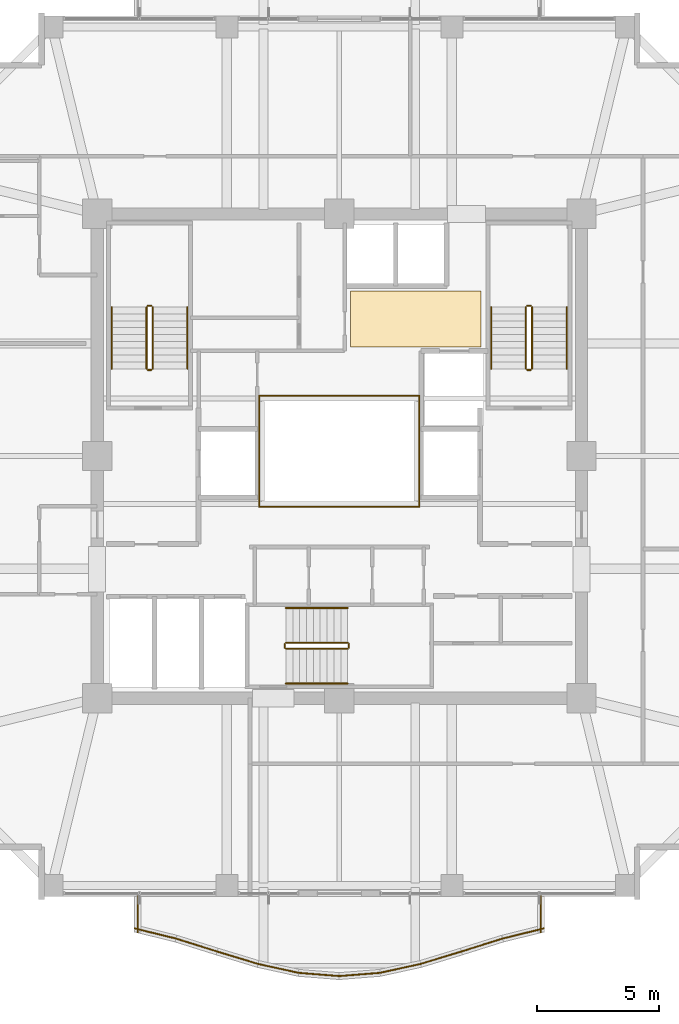
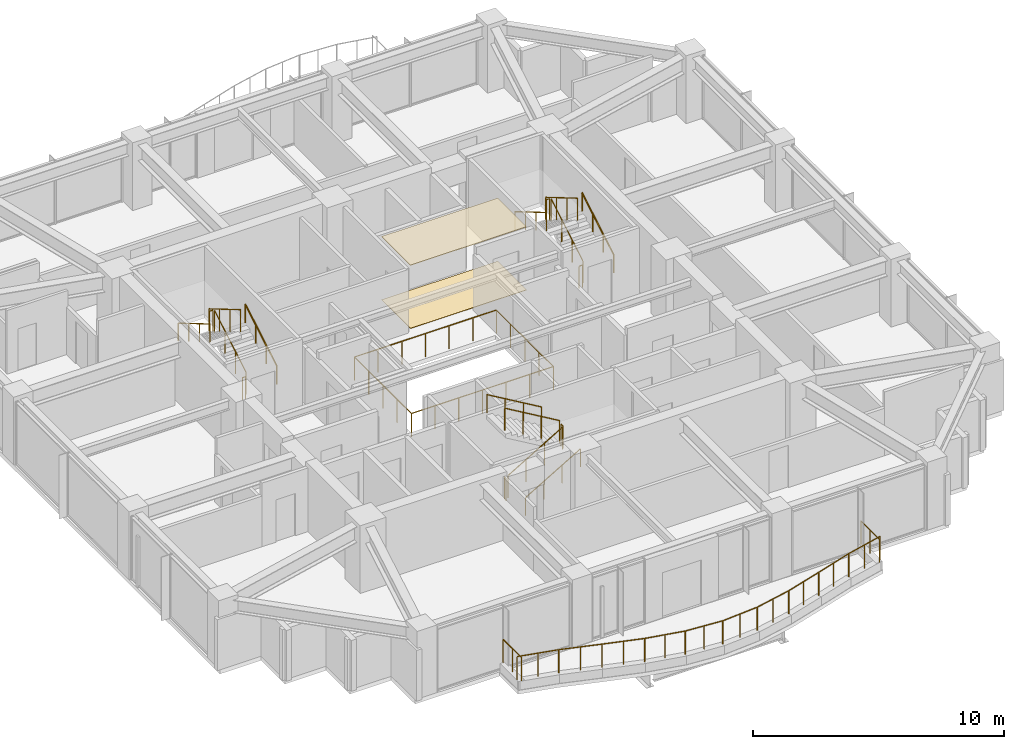
# One storey, part 30 of 31: 34 railings, 2 coverings.
"""IFC4 building model written with IfcOpenShell, lengths in metres."""

from ifc_helpers import new_model, si_unit, direction, frame, origin, origin_2d, place, context, subcontext, project, spatial, polyline, circle, outline, extrude, material, layer, layer_set, type_object, element, save


model = new_model("IFC4")

# Units and contexts
model_context = context("Model", 3, precision=1e-05, world=origin(), true_north=direction((0.0, 1.0)))
body_context = subcontext(model_context, "Body", "Model", "MODEL_VIEW")
ifc_project = project(units=[si_unit("LENGTHUNIT", "METRE"), si_unit("AREAUNIT", "SQUARE_METRE"), si_unit("VOLUMEUNIT", "CUBIC_METRE"), si_unit("PLANEANGLEUNIT", "RADIAN"), si_unit("MASSUNIT", "GRAM", prefix="KILO")], contexts=[model_context])

# Site, building, storey
site_placement = place(None, origin())
site = spatial("IfcSite", under=ifc_project, at=site_placement, CompositionType="ELEMENT")
building_placement = place(site_placement, origin())
building = spatial("IfcBuilding", under=site, at=building_placement, Name="Kolvaren Belvedere", CompositionType="ELEMENT")
storey_placement = place(building_placement, frame((0.0, 0.0, 134.89990234375)))
storey = spatial("IfcBuildingStorey", under=building, at=storey_placement, Name="L39", CompositionType="ELEMENT", Elevation=134.89990234375)

# Coverings
ifc_material_1 = material(Name="Acoustic perforated gypsum board", Category="gypsum")
ifc_layer_1 = layer(ifc_material_1, 0.02490234375)
ifc_layer_set_1 = layer_set([ifc_layer_1], Name="Acoustic perforated gypsum board")
covering_type_1 = type_object("IfcCoveringType", Name="COV-CEIL-GYP", PredefinedType="CEILING", material=ifc_layer_set_1)
covering_1_placement = place(storey_placement, frame((0.0, 0.0, 3.0751953125)))
element("IfcCovering", 1, at=covering_1_placement, inside=storey, type_object=covering_type_1, Name="L39 Lift Lobby Acoustic Baffle Ceiling", PredefinedType="CEILING", context=body_context, shape_type="SweptSolid", body=[
    extrude(outline(polyline([(0.449951171875, 4.449951171875), (5.800048828125, 4.449951171875), (5.800048828125, 6.75), (0.449951171875, 6.75), (0.449951171875, 4.449951171875)])), origin(), (0.0, 0.0, 1.0), 0.02490234375),
])
ifc_material_2 = material(Name="Engineered Pacific white oak", Category="timber")
ifc_layer_2 = layer(ifc_material_2, 0.02001953125)
ifc_layer_set_2 = layer_set([ifc_layer_2], Name="Engineered Pacific white oak")
covering_type_2 = type_object("IfcCoveringType", Name="COV-FLR-OAK", PredefinedType="FLOORING", material=ifc_layer_set_2)
covering_2_placement = place(storey_placement, origin())
element("IfcCovering", 2, at=covering_2_placement, inside=storey, type_object=covering_type_2, Name="L39 Lift Lobby Finish Flooring", PredefinedType="FLOORING", context=body_context, shape_type="SweptSolid", body=[
    extrude(outline(polyline([(0.449951171875, 4.449951171875), (5.800048828125, 4.449951171875), (5.800048828125, 6.75), (0.449951171875, 6.75), (0.449951171875, 4.449951171875)])), origin(), (0.0, 0.0, 1.0), 0.02001953125),
])

# Railings
ifc_material_3 = material(Name="Laminated glass & stainless-steel cap rail", Category="steel")
railing_type_1 = type_object("IfcRailingType", Name="RL-ATR-1150", PredefinedType="BALUSTRADE", material=ifc_material_3)
for number, where, name in (
    (3, (-3.27001953125, 2.469970703125, 0.0), "L39 Atrium North Glass Balustrade"),
    (4, (-3.27001953125, -2.070068359375, 0.0), "L39 Atrium South Glass Balustrade"),
):
    element("IfcRailing", number, at=place(storey_placement, frame(where)), inside=storey, type_object=railing_type_1, Name=name, PredefinedType="BALUSTRADE", context=body_context, shape_type="SweptSolid", body=[
        extrude(circle(Radius=0.02392578125, at=origin_2d()), frame((0.0, 0.0, 1.1259765625), z_axis=(1.0, 0.0, 0.0), x_axis=(0.0, 1.0, 0.0)), (0.0, 0.0, 1.0), 6.5400390625),
        extrude(circle(Radius=0.02099609375, at=origin_2d()), origin(), (0.0, 0.0, 1.0), 1.101806640625),
        extrude(circle(Radius=0.02099609375, at=origin_2d()), frame((1.090087890625, 0.0, 0.0)), (0.0, 0.0, 1.0), 1.101806640625),
        extrude(circle(Radius=0.02099609375, at=origin_2d()), frame((2.179931640625, 0.0, 0.0)), (0.0, 0.0, 1.0), 1.101806640625),
        extrude(circle(Radius=0.02099609375, at=origin_2d()), frame((3.27001953125, 0.0, 0.0)), (0.0, 0.0, 1.0), 1.101806640625),
        extrude(circle(Radius=0.02099609375, at=origin_2d()), frame((4.360107421875, 0.0, 0.0)), (0.0, 0.0, 1.0), 1.101806640625),
        extrude(circle(Radius=0.02099609375, at=origin_2d()), frame((5.449951171875, 0.0, 0.0)), (0.0, 0.0, 1.0), 1.101806640625),
        extrude(circle(Radius=0.02099609375, at=origin_2d()), frame((6.5400390625, 0.0, 0.0)), (0.0, 0.0, 1.0), 1.101806640625),
    ])
for number, where, name in (
    (5, (-3.27001953125, -2.070068359375, 0.0), "L39 Atrium West Glass Balustrade"),
    (6, (3.27001953125, -2.070068359375, 0.0), "L39 Atrium East Glass Balustrade"),
):
    element("IfcRailing", number, at=place(storey_placement, frame(where)), inside=storey, type_object=railing_type_1, Name=name, PredefinedType="BALUSTRADE", context=body_context, shape_type="SweptSolid", body=[
        extrude(circle(Radius=0.02392578125, at=origin_2d()), frame((0.0, 0.0, 1.1259765625), z_axis=(0.0, 1.0, 0.0), x_axis=(-1.0, 0.0, 0.0)), (0.0, 0.0, 1.0), 4.5400390625),
        extrude(circle(Radius=0.02099609375, at=origin_2d()), origin(), (0.0, 0.0, 1.0), 1.101806640625),
        extrude(circle(Radius=0.02099609375, at=origin_2d()), frame((0.0, 1.135009765625, 0.0)), (0.0, 0.0, 1.0), 1.101806640625),
        extrude(circle(Radius=0.02099609375, at=origin_2d()), frame((0.0, 2.27001953125, 0.0)), (0.0, 0.0, 1.0), 1.101806640625),
        extrude(circle(Radius=0.02099609375, at=origin_2d()), frame((0.0, 3.405029296875, 0.0)), (0.0, 0.0, 1.0), 1.101806640625),
        extrude(circle(Radius=0.02099609375, at=origin_2d()), frame((0.0, 4.5400390625, 0.0)), (0.0, 0.0, 1.0), 1.101806640625),
    ])
ifc_material_4 = material(Name="Anodised pale-metal aluminium & laminated glass guard", Category="aluminium")
railing_type_2 = type_object("IfcRailingType", Name="RL-GUARD-1150", PredefinedType="GUARDRAIL", material=ifc_material_4)
railing_1_placement = place(storey_placement, frame((-8.36181640625, -19.310791015625, 0.400146484375)))
element("IfcRailing", 7, at=railing_1_placement, inside=storey, type_object=railing_type_2, Name="L39 Exterior Deck Safety Guard BAL-S-1", PredefinedType="GUARDRAIL", context=body_context, shape_type="SweptSolid", body=[
    extrude(circle(Radius=0.02392578125, at=origin_2d()), frame((0.0, 0.0, 1.1259765625), z_axis=(0.970950361768, -0.239280995867, 0.0), x_axis=(0.239280995867, 0.970950361768, 0.0)), (0.0, 0.0, 1.0), 1.73046875),
    extrude(circle(Radius=0.02099609375, at=origin_2d()), origin(), (0.0, 0.0, 1.0), 1.101806640625),
    extrude(circle(Radius=0.02099609375, at=origin_2d()), frame((0.840087890625, -0.20703125, 0.0)), (0.0, 0.0, 1.0), 1.101806640625),
    extrude(circle(Radius=0.02099609375, at=origin_2d()), frame((1.68017578125, -0.4140625, 0.0)), (0.0, 0.0, 1.0), 1.101806640625),
])
railing_2_placement = place(storey_placement, frame((-6.672119140625, -19.7275390625, 0.400146484375)))
element("IfcRailing", 8, at=railing_2_placement, inside=storey, type_object=railing_type_2, Name="L39 Exterior Deck Safety Guard BAL-S-2", PredefinedType="GUARDRAIL", context=body_context, shape_type="SweptSolid", body=[
    extrude(circle(Radius=0.02392578125, at=origin_2d()), frame((0.0, 0.0, 1.1259765625), z_axis=(0.954057149461, -0.299624691176, 0.0), x_axis=(0.299624691176, 0.954057149461, 0.0)), (0.0, 0.0, 1.0), 1.7607421875),
    extrude(circle(Radius=0.02099609375, at=origin_2d()), origin(), (0.0, 0.0, 1.0), 1.101806640625),
    extrude(circle(Radius=0.02099609375, at=origin_2d()), frame((0.83984375, -0.263671875, 0.0)), (0.0, 0.0, 1.0), 1.101806640625),
    extrude(circle(Radius=0.02099609375, at=origin_2d()), frame((1.679931640625, -0.527587890625, 0.0)), (0.0, 0.0, 1.0), 1.101806640625),
])
railing_3_placement = place(storey_placement, frame((-4.993408203125, -20.254638671875, 0.400146484375)))
element("IfcRailing", 9, at=railing_3_placement, inside=storey, type_object=railing_type_2, Name="L39 Exterior Deck Safety Guard BAL-S-3", PredefinedType="GUARDRAIL", context=body_context, shape_type="SweptSolid", body=[
    extrude(circle(Radius=0.02392578125, at=origin_2d()), frame((0.0, 0.0, 1.1259765625), z_axis=(0.956721015747, -0.291006697567, 0.0), x_axis=(0.291006697567, 0.956721015747, 0.0)), (0.0, 0.0, 1.0), 1.755859375),
    extrude(circle(Radius=0.02099609375, at=origin_2d()), origin(), (0.0, 0.0, 1.0), 1.101806640625),
    extrude(circle(Radius=0.02099609375, at=origin_2d()), frame((0.83984375, -0.25537109375, 0.0)), (0.0, 0.0, 1.0), 1.101806640625),
    extrude(circle(Radius=0.02099609375, at=origin_2d()), frame((1.679931640625, -0.510986328125, 0.0)), (0.0, 0.0, 1.0), 1.101806640625),
])
railing_4_placement = place(storey_placement, frame((-3.32568359375, -20.762451171875, 0.400146484375)))
element("IfcRailing", 10, at=railing_4_placement, inside=storey, type_object=railing_type_2, Name="L39 Exterior Deck Safety Guard BAL-S-4", PredefinedType="GUARDRAIL", context=body_context, shape_type="SweptSolid", body=[
    extrude(circle(Radius=0.02392578125, at=origin_2d()), frame((0.0, 0.0, 1.1259765625), z_axis=(0.976876857632, -0.213802724545, 0.0), x_axis=(0.213802724545, 0.976876857632, 0.0)), (0.0, 0.0, 1.0), 1.7197265625),
    extrude(circle(Radius=0.02099609375, at=origin_2d()), origin(), (0.0, 0.0, 1.0), 1.101806640625),
    extrude(circle(Radius=0.02099609375, at=origin_2d()), frame((0.83984375, -0.183837890625, 0.0)), (0.0, 0.0, 1.0), 1.101806640625),
    extrude(circle(Radius=0.02099609375, at=origin_2d()), frame((1.679931640625, -0.36767578125, 0.0)), (0.0, 0.0, 1.0), 1.101806640625),
])
railing_5_placement = place(storey_placement, frame((-1.667236328125, -21.126953125, 0.400146484375)))
element("IfcRailing", 11, at=railing_5_placement, inside=storey, type_object=railing_type_2, Name="L39 Exterior Deck Safety Guard BAL-S-5", PredefinedType="GUARDRAIL", context=body_context, shape_type="SweptSolid", body=[
    extrude(circle(Radius=0.02392578125, at=origin_2d()), frame((0.0, 0.0, 1.1259765625), z_axis=(0.99685522818, -0.079244268248, 0.0), x_axis=(0.079244268248, 0.99685522818, 0.0)), (0.0, 0.0, 1.0), 1.685302734375),
    extrude(circle(Radius=0.02099609375, at=origin_2d()), origin(), (0.0, 0.0, 1.0), 1.101806640625),
    extrude(circle(Radius=0.02099609375, at=origin_2d()), frame((0.83984375, -0.06689453125, 0.0)), (0.0, 0.0, 1.0), 1.101806640625),
    extrude(circle(Radius=0.02099609375, at=origin_2d()), frame((1.679931640625, -0.133544921875, 0.0)), (0.0, 0.0, 1.0), 1.101806640625),
])
railing_6_placement = place(storey_placement, frame((-0.0126953125, -21.260498046875, 0.400146484375)))
element("IfcRailing", 12, at=railing_6_placement, inside=storey, type_object=railing_type_2, Name="L39 Exterior Deck Safety Guard BAL-S-6", PredefinedType="GUARDRAIL", context=body_context, shape_type="SweptSolid", body=[
    extrude(circle(Radius=0.02392578125, at=origin_2d()), frame((0.0, 0.0, 1.1259765625), z_axis=(0.99685522818, 0.079244268248, 0.0), x_axis=(-0.079244268248, 0.99685522818, 0.0)), (0.0, 0.0, 1.0), 1.685302734375),
    extrude(circle(Radius=0.02099609375, at=origin_2d()), origin(), (0.0, 0.0, 1.0), 1.101806640625),
    extrude(circle(Radius=0.02099609375, at=origin_2d()), frame((0.83984375, 0.06689453125, 0.0)), (0.0, 0.0, 1.0), 1.101806640625),
    extrude(circle(Radius=0.02099609375, at=origin_2d()), frame((1.679931640625, 0.133544921875, 0.0)), (0.0, 0.0, 1.0), 1.101806640625),
])
railing_7_placement = place(storey_placement, frame((1.645751953125, -21.130126953125, 0.400146484375)))
element("IfcRailing", 13, at=railing_7_placement, inside=storey, type_object=railing_type_2, Name="L39 Exterior Deck Safety Guard BAL-S-7", PredefinedType="GUARDRAIL", context=body_context, shape_type="SweptSolid", body=[
    extrude(circle(Radius=0.02392578125, at=origin_2d()), frame((0.0, 0.0, 1.1259765625), z_axis=(0.976876857632, 0.213802724545, 0.0), x_axis=(-0.213802724545, 0.976876857632, 0.0)), (0.0, 0.0, 1.0), 1.7197265625),
    extrude(circle(Radius=0.02099609375, at=origin_2d()), origin(), (0.0, 0.0, 1.0), 1.101806640625),
    extrude(circle(Radius=0.02099609375, at=origin_2d()), frame((0.83984375, 0.183837890625, 0.0)), (0.0, 0.0, 1.0), 1.101806640625),
    extrude(circle(Radius=0.02099609375, at=origin_2d()), frame((1.679931640625, 0.36767578125, 0.0)), (0.0, 0.0, 1.0), 1.101806640625),
])
railing_8_placement = place(storey_placement, frame((3.3134765625, -20.765625, 0.400146484375)))
element("IfcRailing", 14, at=railing_8_placement, inside=storey, type_object=railing_type_2, Name="L39 Exterior Deck Safety Guard BAL-S-8", PredefinedType="GUARDRAIL", context=body_context, shape_type="SweptSolid", body=[
    extrude(circle(Radius=0.02392578125, at=origin_2d()), frame((0.0, 0.0, 1.1259765625), z_axis=(0.956721015747, 0.291006697567, 0.0), x_axis=(-0.291006697567, 0.956721015747, 0.0)), (0.0, 0.0, 1.0), 1.755859375),
    extrude(circle(Radius=0.02099609375, at=origin_2d()), origin(), (0.0, 0.0, 1.0), 1.101806640625),
    extrude(circle(Radius=0.02099609375, at=origin_2d()), frame((0.83984375, 0.25537109375, 0.0)), (0.0, 0.0, 1.0), 1.101806640625),
    extrude(circle(Radius=0.02099609375, at=origin_2d()), frame((1.679931640625, 0.510986328125, 0.0)), (0.0, 0.0, 1.0), 1.101806640625),
])
railing_9_placement = place(storey_placement, frame((4.9921875, -20.255126953125, 0.400146484375)))
element("IfcRailing", 15, at=railing_9_placement, inside=storey, type_object=railing_type_2, Name="L39 Exterior Deck Safety Guard BAL-S-9", PredefinedType="GUARDRAIL", context=body_context, shape_type="SweptSolid", body=[
    extrude(circle(Radius=0.02392578125, at=origin_2d()), frame((0.0, 0.0, 1.1259765625), z_axis=(0.954057149461, 0.299624691176, 0.0), x_axis=(-0.299624691176, 0.954057149461, 0.0)), (0.0, 0.0, 1.0), 1.7607421875),
    extrude(circle(Radius=0.02099609375, at=origin_2d()), origin(), (0.0, 0.0, 1.0), 1.101806640625),
    extrude(circle(Radius=0.02099609375, at=origin_2d()), frame((0.83984375, 0.263671875, 0.0)), (0.0, 0.0, 1.0), 1.101806640625),
    extrude(circle(Radius=0.02099609375, at=origin_2d()), frame((1.679931640625, 0.527587890625, 0.0)), (0.0, 0.0, 1.0), 1.101806640625),
])
railing_10_placement = place(storey_placement, frame((6.681640625, -19.724853515625, 0.400146484375)))
element("IfcRailing", 16, at=railing_10_placement, inside=storey, type_object=railing_type_2, Name="L39 Exterior Deck Safety Guard BAL-S-10", PredefinedType="GUARDRAIL", context=body_context, shape_type="SweptSolid", body=[
    extrude(circle(Radius=0.02392578125, at=origin_2d()), frame((0.0, 0.0, 1.1259765625), z_axis=(0.970950361768, 0.239280995867, 0.0), x_axis=(-0.239280995867, 0.970950361768, 0.0)), (0.0, 0.0, 1.0), 1.73046875),
    extrude(circle(Radius=0.02099609375, at=origin_2d()), origin(), (0.0, 0.0, 1.0), 1.101806640625),
    extrude(circle(Radius=0.02099609375, at=origin_2d()), frame((0.840087890625, 0.20703125, 0.0)), (0.0, 0.0, 1.0), 1.101806640625),
    extrude(circle(Radius=0.02099609375, at=origin_2d()), frame((1.68017578125, 0.4140625, 0.0)), (0.0, 0.0, 1.0), 1.101806640625),
])
railing_11_placement = place(storey_placement, frame((8.239990234375, -19.46630859375, 0.400146484375)))
element("IfcRailing", 17, at=railing_11_placement, inside=storey, type_object=railing_type_2, Name="L39 Exterior Deck Safety Guard BAL-S-11", PredefinedType="GUARDRAIL", context=body_context, shape_type="SweptSolid", body=[
    extrude(circle(Radius=0.02392578125, at=origin_2d()), frame((0.0, 0.0, 1.1259765625), z_axis=(0.0, 1.0, 0.0), x_axis=(-1.0, 0.0, 0.0)), (0.0, 0.0, 1.0), 1.46630859375),
    extrude(circle(Radius=0.02099609375, at=origin_2d()), origin(), (0.0, 0.0, 1.0), 1.101806640625),
    extrude(circle(Radius=0.02099609375, at=origin_2d()), frame((0.0, 0.733154296875, 0.0)), (0.0, 0.0, 1.0), 1.101806640625),
    extrude(circle(Radius=0.02099609375, at=origin_2d()), frame((0.0, 1.46630859375, 0.0)), (0.0, 0.0, 1.0), 1.101806640625),
])
railing_12_placement = place(storey_placement, frame((-8.239990234375, -18.0, 0.400146484375)))
element("IfcRailing", 18, at=railing_12_placement, inside=storey, type_object=railing_type_2, Name="L39 Exterior Deck Safety Guard BAL-S-22", PredefinedType="GUARDRAIL", context=body_context, shape_type="SweptSolid", body=[
    extrude(circle(Radius=0.02392578125, at=origin_2d()), frame((0.0, 0.0, 1.1259765625), z_axis=(0.0, -1.0, 0.0), x_axis=(1.0, 0.0, 0.0)), (0.0, 0.0, 1.0), 1.46630859375),
    extrude(circle(Radius=0.02099609375, at=origin_2d()), origin(), (0.0, 0.0, 1.0), 1.101806640625),
    extrude(circle(Radius=0.02099609375, at=origin_2d()), frame((0.0, -0.733154296875, 0.0)), (0.0, 0.0, 1.0), 1.101806640625),
    extrude(circle(Radius=0.02099609375, at=origin_2d()), frame((0.0, -1.46630859375, 0.0)), (0.0, 0.0, 1.0), 1.101806640625),
])
ifc_material_5 = material(Name="Brushed stainless-steel handrail", Category="steel")
railing_type_3 = type_object("IfcRailingType", Name="RL-HANDRAIL-920", PredefinedType="HANDRAIL", material=ifc_material_5)
railing_13_placement = place(storey_placement, frame((-6.2099609375, 3.570068359375, 0.1650390625)))
element("IfcRailing", 19, at=railing_13_placement, inside=storey, type_object=railing_type_3, Name="L39 ST-1 stair handrail 1", PredefinedType="HANDRAIL", context=body_context, shape_type="SweptSolid", body=[
    extrude(circle(Radius=0.02392578125, at=origin_2d()), frame((0.0, 0.0, 0.8759765625), z_axis=(0.0, 0.86152411907, 0.507716645641), x_axis=(-1.0, 0.0, 0.0)), (0.0, 0.0, 1.0), 2.925048828125),
    extrude(circle(Radius=0.02099609375, at=origin_2d()), origin(), (0.0, 0.0, 1.0), 0.851806640625),
    extrude(circle(Radius=0.02099609375, at=origin_2d()), frame((0.0, 0.840087890625, 0.4951171875)), (0.0, 0.0, 1.0), 0.851806640625),
    extrude(circle(Radius=0.02099609375, at=origin_2d()), frame((0.0, 1.679931640625, 0.989990234375)), (0.0, 0.0, 1.0), 0.851806640625),
    extrude(circle(Radius=0.02099609375, at=origin_2d()), frame((0.0, 2.52001953125, 1.485107421875)), (0.0, 0.0, 1.0), 0.851806640625),
])
railing_14_placement = place(storey_placement, frame((-9.300048828125, 6.090087890625, 1.815185546875)))
element("IfcRailing", 20, at=railing_14_placement, inside=storey, type_object=railing_type_3, Name="L39 ST-1 stair handrail 2", PredefinedType="HANDRAIL", context=body_context, shape_type="SweptSolid", body=[
    extrude(circle(Radius=0.02392578125, at=origin_2d()), frame((0.0, 0.0, 0.8759765625), z_axis=(0.0, -0.861560626758, 0.507654692109), x_axis=(1.0, 0.0, 0.0)), (0.0, 0.0, 1.0), 2.925048828125),
    extrude(circle(Radius=0.02099609375, at=origin_2d()), origin(), (0.0, 0.0, 1.0), 0.851806640625),
    extrude(circle(Radius=0.02099609375, at=origin_2d()), frame((0.0, -0.840087890625, 0.494873046875)), (0.0, 0.0, 1.0), 0.851806640625),
    extrude(circle(Radius=0.02099609375, at=origin_2d()), frame((0.0, -1.679931640625, 0.989990234375)), (0.0, 0.0, 1.0), 0.851806640625),
    extrude(circle(Radius=0.02099609375, at=origin_2d()), frame((0.0, -2.52001953125, 1.48486328125)), (0.0, 0.0, 1.0), 0.851806640625),
])
railing_15_placement = place(storey_placement, frame((9.300048828125, 3.570068359375, 0.1650390625)))
element("IfcRailing", 21, at=railing_15_placement, inside=storey, type_object=railing_type_3, Name="L39 ST-2 stair handrail 1", PredefinedType="HANDRAIL", context=body_context, shape_type="SweptSolid", body=[
    extrude(circle(Radius=0.02392578125, at=origin_2d()), frame((0.0, 0.0, 0.8759765625), z_axis=(0.0, 0.86152411907, 0.507716645641), x_axis=(-1.0, 0.0, 0.0)), (0.0, 0.0, 1.0), 2.925048828125),
    extrude(circle(Radius=0.02099609375, at=origin_2d()), origin(), (0.0, 0.0, 1.0), 0.851806640625),
    extrude(circle(Radius=0.02099609375, at=origin_2d()), frame((0.0, 0.840087890625, 0.4951171875)), (0.0, 0.0, 1.0), 0.851806640625),
    extrude(circle(Radius=0.02099609375, at=origin_2d()), frame((0.0, 1.679931640625, 0.989990234375)), (0.0, 0.0, 1.0), 0.851806640625),
    extrude(circle(Radius=0.02099609375, at=origin_2d()), frame((0.0, 2.52001953125, 1.485107421875)), (0.0, 0.0, 1.0), 0.851806640625),
])
railing_16_placement = place(storey_placement, frame((6.2099609375, 6.090087890625, 1.815185546875)))
element("IfcRailing", 22, at=railing_16_placement, inside=storey, type_object=railing_type_3, Name="L39 ST-2 stair handrail 2", PredefinedType="HANDRAIL", context=body_context, shape_type="SweptSolid", body=[
    extrude(circle(Radius=0.02392578125, at=origin_2d()), frame((0.0, 0.0, 0.8759765625), z_axis=(0.0, -0.861560626758, 0.507654692109), x_axis=(1.0, 0.0, 0.0)), (0.0, 0.0, 1.0), 2.925048828125),
    extrude(circle(Radius=0.02099609375, at=origin_2d()), origin(), (0.0, 0.0, 1.0), 0.851806640625),
    extrude(circle(Radius=0.02099609375, at=origin_2d()), frame((0.0, -0.840087890625, 0.494873046875)), (0.0, 0.0, 1.0), 0.851806640625),
    extrude(circle(Radius=0.02099609375, at=origin_2d()), frame((0.0, -1.679931640625, 0.989990234375)), (0.0, 0.0, 1.0), 0.851806640625),
    extrude(circle(Radius=0.02099609375, at=origin_2d()), frame((0.0, -2.52001953125, 1.48486328125)), (0.0, 0.0, 1.0), 0.851806640625),
])
railing_17_placement = place(storey_placement, frame((-2.179931640625, -9.300048828125, 0.1650390625)))
element("IfcRailing", 23, at=railing_17_placement, inside=storey, type_object=railing_type_3, Name="L39 ST-3 stair handrail 1", PredefinedType="HANDRAIL", context=body_context, shape_type="SweptSolid", body=[
    extrude(circle(Radius=0.02392578125, at=origin_2d()), frame((0.0, 0.0, 0.8759765625), z_axis=(0.86152411907, 0.0, 0.507716645641), x_axis=(0.0, 1.0, 0.0)), (0.0, 0.0, 1.0), 2.925048828125),
    extrude(circle(Radius=0.02099609375, at=origin_2d()), origin(), (0.0, 0.0, 1.0), 0.851806640625),
    extrude(circle(Radius=0.02099609375, at=origin_2d()), frame((0.840087890625, 0.0, 0.4951171875)), (0.0, 0.0, 1.0), 0.851806640625),
    extrude(circle(Radius=0.02099609375, at=origin_2d()), frame((1.679931640625, 0.0, 0.989990234375)), (0.0, 0.0, 1.0), 0.851806640625),
    extrude(circle(Radius=0.02099609375, at=origin_2d()), frame((2.52001953125, 0.0, 1.485107421875)), (0.0, 0.0, 1.0), 0.851806640625),
])
railing_18_placement = place(storey_placement, frame((0.340087890625, -6.2099609375, 1.815185546875)))
element("IfcRailing", 24, at=railing_18_placement, inside=storey, type_object=railing_type_3, Name="L39 ST-3 stair handrail 2", PredefinedType="HANDRAIL", context=body_context, shape_type="SweptSolid", body=[
    extrude(circle(Radius=0.02392578125, at=origin_2d()), frame((0.0, 0.0, 0.8759765625), z_axis=(-0.861560626758, 0.0, 0.507654692109), x_axis=(0.0, -1.0, 0.0)), (0.0, 0.0, 1.0), 2.925048828125),
    extrude(circle(Radius=0.02099609375, at=origin_2d()), origin(), (0.0, 0.0, 1.0), 0.851806640625),
    extrude(circle(Radius=0.02099609375, at=origin_2d()), frame((-0.840087890625, 0.0, 0.494873046875)), (0.0, 0.0, 1.0), 0.851806640625),
    extrude(circle(Radius=0.02099609375, at=origin_2d()), frame((-1.679931640625, 0.0, 0.989990234375)), (0.0, 0.0, 1.0), 0.851806640625),
    extrude(circle(Radius=0.02099609375, at=origin_2d()), frame((-2.52001953125, 0.0, 1.48486328125)), (0.0, 0.0, 1.0), 0.851806640625),
])
ifc_material_6 = material(Name="Painted tubular steel stair guard", Category="steel")
railing_type_4 = type_object("IfcRailingType", Name="RL-STGUARD-1100", PredefinedType="GUARDRAIL", material=ifc_material_6)
railing_19_placement = place(storey_placement, frame((-7.6298828125, 3.570068359375, 0.1650390625)))
element("IfcRailing", 25, at=railing_19_placement, inside=storey, type_object=railing_type_4, Name="L39 ST-1 stair guard 1", PredefinedType="GUARDRAIL", context=body_context, shape_type="SweptSolid", body=[
    extrude(circle(Radius=0.02392578125, at=origin_2d()), frame((0.0, 0.0, 1.076171875), z_axis=(0.0, 0.86152411907, 0.507716645641), x_axis=(-1.0, 0.0, 0.0)), (0.0, 0.0, 1.0), 2.925048828125),
    extrude(circle(Radius=0.02099609375, at=origin_2d()), origin(), (0.0, 0.0, 1.0), 1.052001953125),
    extrude(circle(Radius=0.02099609375, at=origin_2d()), frame((0.0, 0.840087890625, 0.4951171875)), (0.0, 0.0, 1.0), 1.052001953125),
    extrude(circle(Radius=0.02099609375, at=origin_2d()), frame((0.0, 1.679931640625, 0.989990234375)), (0.0, 0.0, 1.0), 1.052001953125),
    extrude(circle(Radius=0.02099609375, at=origin_2d()), frame((0.0, 2.52001953125, 1.485107421875)), (0.0, 0.0, 1.0), 1.052001953125),
])
railing_20_placement = place(storey_placement, frame((-7.679931640625, 6.139892578125, 1.650146484375)))
element("IfcRailing", 26, at=railing_20_placement, inside=storey, type_object=railing_type_4, Name="L39 ST-1 stair guard 2", PredefinedType="GUARDRAIL", context=body_context, shape_type="SweptSolid", body=[
    extrude(circle(Radius=0.02392578125, at=origin_2d()), frame((0.0, 0.0, 1.076171875), z_axis=(-1.0, 0.0, 0.0), x_axis=(0.0, -1.0, 0.0)), (0.0, 0.0, 1.0), 0.150146484375),
    extrude(circle(Radius=0.02099609375, at=origin_2d()), origin(), (0.0, 0.0, 1.0), 1.052001953125),
    extrude(circle(Radius=0.02099609375, at=origin_2d()), frame((-0.150146484375, 0.0, 0.0)), (0.0, 0.0, 1.0), 1.052001953125),
])
railing_21_placement = place(storey_placement, frame((-7.8798828125, 6.090087890625, 1.815185546875)))
element("IfcRailing", 27, at=railing_21_placement, inside=storey, type_object=railing_type_4, Name="L39 ST-1 stair guard 3", PredefinedType="GUARDRAIL", context=body_context, shape_type="SweptSolid", body=[
    extrude(circle(Radius=0.02392578125, at=origin_2d()), frame((0.0, 0.0, 1.076171875), z_axis=(0.0, -0.861560626758, 0.507654692109), x_axis=(1.0, 0.0, 0.0)), (0.0, 0.0, 1.0), 2.925048828125),
    extrude(circle(Radius=0.02099609375, at=origin_2d()), origin(), (0.0, 0.0, 1.0), 1.052001953125),
    extrude(circle(Radius=0.02099609375, at=origin_2d()), frame((0.0, -0.840087890625, 0.494873046875)), (0.0, 0.0, 1.0), 1.052001953125),
    extrude(circle(Radius=0.02099609375, at=origin_2d()), frame((0.0, -1.679931640625, 0.989990234375)), (0.0, 0.0, 1.0), 1.052001953125),
    extrude(circle(Radius=0.02099609375, at=origin_2d()), frame((0.0, -2.52001953125, 1.48486328125)), (0.0, 0.0, 1.0), 1.052001953125),
])
railing_22_placement = place(storey_placement, frame((-7.679931640625, 3.52001953125, 0.0)))
element("IfcRailing", 28, at=railing_22_placement, inside=storey, type_object=railing_type_4, Name="L39 ST-1 stair guard 4", PredefinedType="GUARDRAIL", context=body_context, shape_type="SweptSolid", body=[
    extrude(circle(Radius=0.02392578125, at=origin_2d()), frame((0.0, 0.0, 1.076171875), z_axis=(-1.0, 0.0, 0.0), x_axis=(0.0, -1.0, 0.0)), (0.0, 0.0, 1.0), 0.150146484375),
    extrude(circle(Radius=0.02099609375, at=origin_2d()), origin(), (0.0, 0.0, 1.0), 1.052001953125),
    extrude(circle(Radius=0.02099609375, at=origin_2d()), frame((-0.150146484375, 0.0, 0.0)), (0.0, 0.0, 1.0), 1.052001953125),
])
railing_23_placement = place(storey_placement, frame((7.8798828125, 3.570068359375, 0.1650390625)))
element("IfcRailing", 29, at=railing_23_placement, inside=storey, type_object=railing_type_4, Name="L39 ST-2 stair guard 1", PredefinedType="GUARDRAIL", context=body_context, shape_type="SweptSolid", body=[
    extrude(circle(Radius=0.02392578125, at=origin_2d()), frame((0.0, 0.0, 1.076171875), z_axis=(0.0, 0.86152411907, 0.507716645641), x_axis=(-1.0, 0.0, 0.0)), (0.0, 0.0, 1.0), 2.925048828125),
    extrude(circle(Radius=0.02099609375, at=origin_2d()), origin(), (0.0, 0.0, 1.0), 1.052001953125),
    extrude(circle(Radius=0.02099609375, at=origin_2d()), frame((0.0, 0.840087890625, 0.4951171875)), (0.0, 0.0, 1.0), 1.052001953125),
    extrude(circle(Radius=0.02099609375, at=origin_2d()), frame((0.0, 1.679931640625, 0.989990234375)), (0.0, 0.0, 1.0), 1.052001953125),
    extrude(circle(Radius=0.02099609375, at=origin_2d()), frame((0.0, 2.52001953125, 1.485107421875)), (0.0, 0.0, 1.0), 1.052001953125),
])
railing_24_placement = place(storey_placement, frame((7.830078125, 6.139892578125, 1.650146484375)))
element("IfcRailing", 30, at=railing_24_placement, inside=storey, type_object=railing_type_4, Name="L39 ST-2 stair guard 2", PredefinedType="GUARDRAIL", context=body_context, shape_type="SweptSolid", body=[
    extrude(circle(Radius=0.02392578125, at=origin_2d()), frame((0.0, 0.0, 1.076171875), z_axis=(-1.0, 0.0, 0.0), x_axis=(0.0, -1.0, 0.0)), (0.0, 0.0, 1.0), 0.150146484375),
    extrude(circle(Radius=0.02099609375, at=origin_2d()), origin(), (0.0, 0.0, 1.0), 1.052001953125),
    extrude(circle(Radius=0.02099609375, at=origin_2d()), frame((-0.150146484375, 0.0, 0.0)), (0.0, 0.0, 1.0), 1.052001953125),
])
railing_25_placement = place(storey_placement, frame((7.6298828125, 6.090087890625, 1.815185546875)))
element("IfcRailing", 31, at=railing_25_placement, inside=storey, type_object=railing_type_4, Name="L39 ST-2 stair guard 3", PredefinedType="GUARDRAIL", context=body_context, shape_type="SweptSolid", body=[
    extrude(circle(Radius=0.02392578125, at=origin_2d()), frame((0.0, 0.0, 1.076171875), z_axis=(0.0, -0.861560626758, 0.507654692109), x_axis=(1.0, 0.0, 0.0)), (0.0, 0.0, 1.0), 2.925048828125),
    extrude(circle(Radius=0.02099609375, at=origin_2d()), origin(), (0.0, 0.0, 1.0), 1.052001953125),
    extrude(circle(Radius=0.02099609375, at=origin_2d()), frame((0.0, -0.840087890625, 0.494873046875)), (0.0, 0.0, 1.0), 1.052001953125),
    extrude(circle(Radius=0.02099609375, at=origin_2d()), frame((0.0, -1.679931640625, 0.989990234375)), (0.0, 0.0, 1.0), 1.052001953125),
    extrude(circle(Radius=0.02099609375, at=origin_2d()), frame((0.0, -2.52001953125, 1.48486328125)), (0.0, 0.0, 1.0), 1.052001953125),
])
railing_26_placement = place(storey_placement, frame((7.830078125, 3.52001953125, 0.0)))
element("IfcRailing", 32, at=railing_26_placement, inside=storey, type_object=railing_type_4, Name="L39 ST-2 stair guard 4", PredefinedType="GUARDRAIL", context=body_context, shape_type="SweptSolid", body=[
    extrude(circle(Radius=0.02392578125, at=origin_2d()), frame((0.0, 0.0, 1.076171875), z_axis=(-1.0, 0.0, 0.0), x_axis=(0.0, -1.0, 0.0)), (0.0, 0.0, 1.0), 0.150146484375),
    extrude(circle(Radius=0.02099609375, at=origin_2d()), origin(), (0.0, 0.0, 1.0), 1.052001953125),
    extrude(circle(Radius=0.02099609375, at=origin_2d()), frame((-0.150146484375, 0.0, 0.0)), (0.0, 0.0, 1.0), 1.052001953125),
])
railing_27_placement = place(storey_placement, frame((-2.179931640625, -7.8798828125, 0.1650390625)))
element("IfcRailing", 33, at=railing_27_placement, inside=storey, type_object=railing_type_4, Name="L39 ST-3 stair guard 1", PredefinedType="GUARDRAIL", context=body_context, shape_type="SweptSolid", body=[
    extrude(circle(Radius=0.02392578125, at=origin_2d()), frame((0.0, 0.0, 1.076171875), z_axis=(0.86152411907, 0.0, 0.507716645641), x_axis=(0.0, 1.0, 0.0)), (0.0, 0.0, 1.0), 2.925048828125),
    extrude(circle(Radius=0.02099609375, at=origin_2d()), origin(), (0.0, 0.0, 1.0), 1.052001953125),
    extrude(circle(Radius=0.02099609375, at=origin_2d()), frame((0.840087890625, 0.0, 0.4951171875)), (0.0, 0.0, 1.0), 1.052001953125),
    extrude(circle(Radius=0.02099609375, at=origin_2d()), frame((1.679931640625, 0.0, 0.989990234375)), (0.0, 0.0, 1.0), 1.052001953125),
    extrude(circle(Radius=0.02099609375, at=origin_2d()), frame((2.52001953125, 0.0, 1.485107421875)), (0.0, 0.0, 1.0), 1.052001953125),
])
railing_28_placement = place(storey_placement, frame((0.389892578125, -7.830078125, 1.650146484375)))
element("IfcRailing", 34, at=railing_28_placement, inside=storey, type_object=railing_type_4, Name="L39 ST-3 stair guard 2", PredefinedType="GUARDRAIL", context=body_context, shape_type="SweptSolid", body=[
    extrude(circle(Radius=0.02392578125, at=origin_2d()), frame((0.0, 0.0, 1.076171875), z_axis=(0.0, 1.0, 0.0), x_axis=(-1.0, 0.0, 0.0)), (0.0, 0.0, 1.0), 0.150146484375),
    extrude(circle(Radius=0.02099609375, at=origin_2d()), origin(), (0.0, 0.0, 1.0), 1.052001953125),
    extrude(circle(Radius=0.02099609375, at=origin_2d()), frame((0.0, 0.150146484375, 0.0)), (0.0, 0.0, 1.0), 1.052001953125),
])
railing_29_placement = place(storey_placement, frame((0.340087890625, -7.6298828125, 1.815185546875)))
element("IfcRailing", 35, at=railing_29_placement, inside=storey, type_object=railing_type_4, Name="L39 ST-3 stair guard 3", PredefinedType="GUARDRAIL", context=body_context, shape_type="SweptSolid", body=[
    extrude(circle(Radius=0.02392578125, at=origin_2d()), frame((0.0, 0.0, 1.076171875), z_axis=(-0.861560626758, 0.0, 0.507654692109), x_axis=(0.0, -1.0, 0.0)), (0.0, 0.0, 1.0), 2.925048828125),
    extrude(circle(Radius=0.02099609375, at=origin_2d()), origin(), (0.0, 0.0, 1.0), 1.052001953125),
    extrude(circle(Radius=0.02099609375, at=origin_2d()), frame((-0.840087890625, 0.0, 0.494873046875)), (0.0, 0.0, 1.0), 1.052001953125),
    extrude(circle(Radius=0.02099609375, at=origin_2d()), frame((-1.679931640625, 0.0, 0.989990234375)), (0.0, 0.0, 1.0), 1.052001953125),
    extrude(circle(Radius=0.02099609375, at=origin_2d()), frame((-2.52001953125, 0.0, 1.48486328125)), (0.0, 0.0, 1.0), 1.052001953125),
])
railing_30_placement = place(storey_placement, frame((-2.22998046875, -7.830078125, 0.0)))
element("IfcRailing", 36, at=railing_30_placement, inside=storey, type_object=railing_type_4, Name="L39 ST-3 stair guard 4", PredefinedType="GUARDRAIL", context=body_context, shape_type="SweptSolid", body=[
    extrude(circle(Radius=0.02392578125, at=origin_2d()), frame((0.0, 0.0, 1.076171875), z_axis=(0.0, 1.0, 0.0), x_axis=(-1.0, 0.0, 0.0)), (0.0, 0.0, 1.0), 0.150146484375),
    extrude(circle(Radius=0.02099609375, at=origin_2d()), origin(), (0.0, 0.0, 1.0), 1.052001953125),
    extrude(circle(Radius=0.02099609375, at=origin_2d()), frame((0.0, 0.150146484375, 0.0)), (0.0, 0.0, 1.0), 1.052001953125),
])

save(model, "model.ifc")
